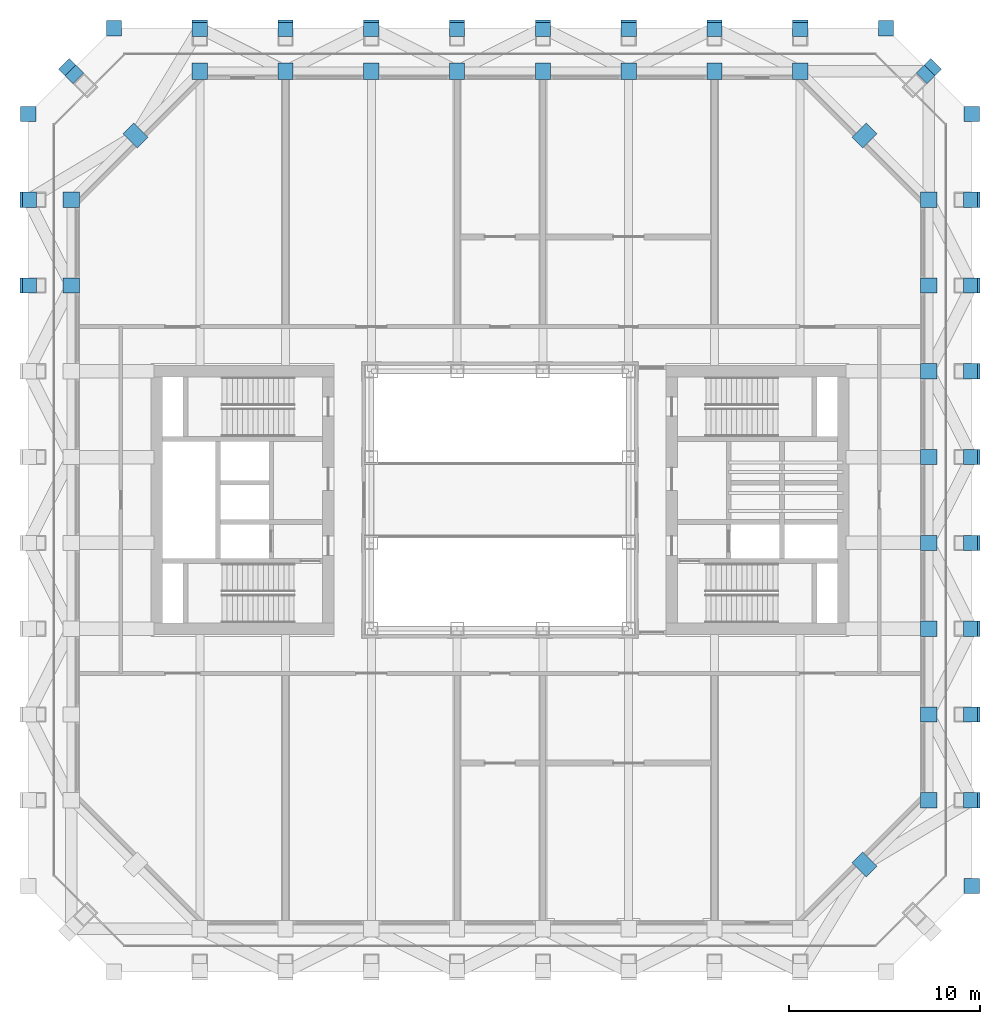
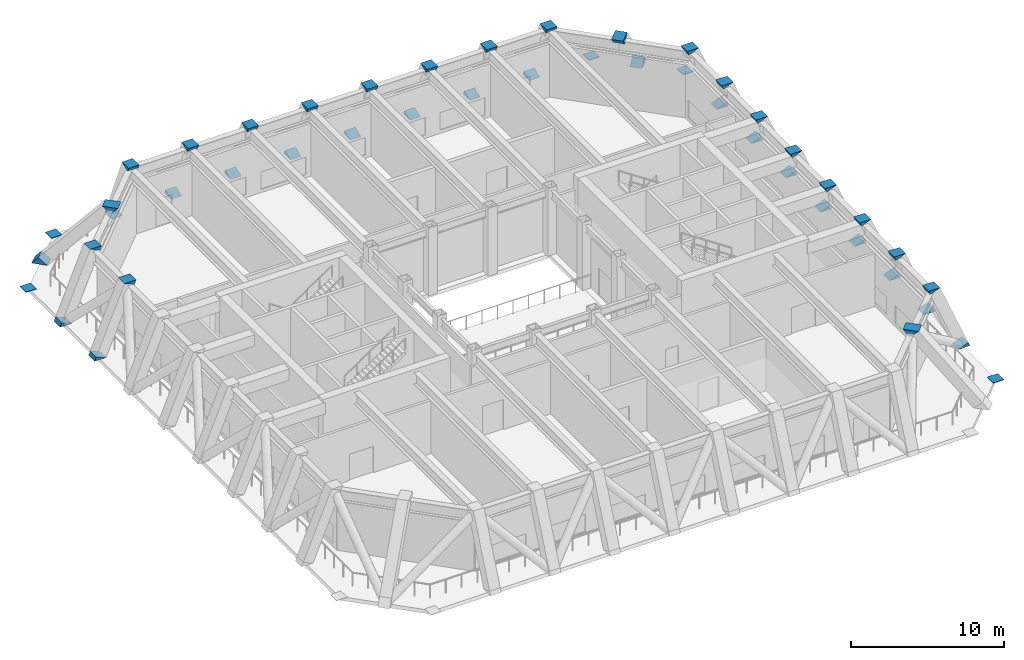
# One storey, part 7 of 9: 46 discrete accessories.
"""IFC4 building model written with IfcOpenShell, lengths in metres."""

from ifc_helpers import new_model, si_unit, direction, frame, origin, origin_2d, place, context, subcontext, project, spatial, polyline, rectangle, outline, extrude, clip, halfspace, element, save


model = new_model("IFC4")

# Units and contexts
model_context = context("Model", 3, precision=1e-05, world=origin(), true_north=direction((0.0, 1.0)))
body_context = subcontext(model_context, "Body", "Model", "MODEL_VIEW")
ifc_project = project(units=[si_unit("LENGTHUNIT", "METRE"), si_unit("AREAUNIT", "SQUARE_METRE"), si_unit("VOLUMEUNIT", "CUBIC_METRE"), si_unit("PLANEANGLEUNIT", "RADIAN"), si_unit("MASSUNIT", "GRAM", prefix="KILO")], contexts=[model_context])

# Site, building, storey
site_placement = place(None, origin())
site = spatial("IfcSite", under=ifc_project, at=site_placement, CompositionType="ELEMENT")
building_placement = place(site_placement, origin())
building = spatial("IfcBuilding", under=site, at=building_placement, Name="Msasa Ring Tower", CompositionType="ELEMENT")
storey_placement = place(building_placement, frame((0.0, 0.0, 107.0)))
storey = spatial("IfcBuildingStorey", under=building, at=storey_placement, Name="L28", CompositionType="ELEMENT", Elevation=107.0)

# Discrete accessories
discrete_accessory_1_placement = place(storey_placement, frame((-15.75, 24.75, 0.0)))
element("IfcDiscreteAccessory", 1, at=discrete_accessory_1_placement, inside=storey, Name="Raked column foot node N-15.75 L28", ObjectType="RAKED COLUMN NODE", PredefinedType="USERDEFINED", context=body_context, shape_type="Clipping", body=[
    clip(extrude(rectangle(XDim=0.800048828125, YDim=0.800048828125, at=origin_2d()), frame((0.0, 0.064208984375, -0.15380859375), z_axis=(0.0, -0.384615029586, 0.923077071006), x_axis=(0.0, 0.923077071006, 0.384615029586)), (0.0, 0.0, 1.0), 0.33349609375), halfspace(frame((0.0, 0.0, 0.0), z_axis=(0.0, 0.0, 1.0)), True)),
])
discrete_accessory_2_placement = place(storey_placement, frame((-15.75, 22.5, 5.39990234375)))
element("IfcDiscreteAccessory", 2, at=discrete_accessory_2_placement, inside=storey, Name="Raked column head node N-15.75 L28", ObjectType="RAKED COLUMN NODE", PredefinedType="USERDEFINED", context=body_context, shape_type="Clipping", body=[
    clip(extrude(rectangle(XDim=0.800048828125, YDim=0.800048828125, at=origin_2d()), frame((0.0, 0.064208984375, -0.15380859375), z_axis=(0.0, -0.384615029586, 0.923077071006), x_axis=(0.0, 0.923077071006, 0.384615029586)), (0.0, 0.0, 1.0), 0.33349609375), halfspace(frame((0.0, 0.0, 0.0), z_axis=(0.0, 0.0, -1.0)), True)),
])
discrete_accessory_3_placement = place(storey_placement, frame((24.75, -15.75, 0.0)))
element("IfcDiscreteAccessory", 3, at=discrete_accessory_3_placement, inside=storey, Name="Raked column foot node E-15.75 L28", ObjectType="RAKED COLUMN NODE", PredefinedType="USERDEFINED", context=body_context, shape_type="Clipping", body=[
    clip(extrude(rectangle(XDim=0.800048828125, YDim=0.800048828125, at=origin_2d()), frame((0.064208984375, 0.0, -0.15380859375), z_axis=(-0.384615029586, 0.0, 0.923077071006), x_axis=(0.0, -1.0, 0.0)), (0.0, 0.0, 1.0), 0.33349609375), halfspace(frame((0.0, 0.0, 0.0), z_axis=(0.0, 0.0, 1.0)), True)),
])
discrete_accessory_4_placement = place(storey_placement, frame((22.5, -15.75, 5.39990234375)))
element("IfcDiscreteAccessory", 4, at=discrete_accessory_4_placement, inside=storey, Name="Raked column head node E-15.75 L28", ObjectType="RAKED COLUMN NODE", PredefinedType="USERDEFINED", context=body_context, shape_type="Clipping", body=[
    clip(extrude(rectangle(XDim=0.800048828125, YDim=0.800048828125, at=origin_2d()), frame((0.064208984375, 0.0, -0.15380859375), z_axis=(-0.384615029586, 0.0, 0.923077071006), x_axis=(0.0, -1.0, 0.0)), (0.0, 0.0, 1.0), 0.33349609375), halfspace(frame((0.0, 0.0, 0.0), z_axis=(0.0, 0.0, -1.0)), True)),
])
discrete_accessory_5_placement = place(storey_placement, frame((-11.25, 24.75, 0.0)))
element("IfcDiscreteAccessory", 5, at=discrete_accessory_5_placement, inside=storey, Name="Raked column foot node N-11.25 L28", ObjectType="RAKED COLUMN NODE", PredefinedType="USERDEFINED", context=body_context, shape_type="Clipping", body=[
    clip(extrude(rectangle(XDim=0.800048828125, YDim=0.800048828125, at=origin_2d()), frame((0.0, 0.064208984375, -0.15380859375), z_axis=(0.0, -0.384615029586, 0.923077071006), x_axis=(0.0, 0.923077071006, 0.384615029586)), (0.0, 0.0, 1.0), 0.33349609375), halfspace(frame((0.0, 0.0, 0.0), z_axis=(0.0, 0.0, 1.0)), True)),
])
discrete_accessory_6_placement = place(storey_placement, frame((-11.25, 22.5, 5.39990234375)))
element("IfcDiscreteAccessory", 6, at=discrete_accessory_6_placement, inside=storey, Name="Raked column head node N-11.25 L28", ObjectType="RAKED COLUMN NODE", PredefinedType="USERDEFINED", context=body_context, shape_type="Clipping", body=[
    clip(extrude(rectangle(XDim=0.800048828125, YDim=0.800048828125, at=origin_2d()), frame((0.0, 0.064208984375, -0.15380859375), z_axis=(0.0, -0.384615029586, 0.923077071006), x_axis=(0.0, 0.923077071006, 0.384615029586)), (0.0, 0.0, 1.0), 0.33349609375), halfspace(frame((0.0, 0.0, 0.0), z_axis=(0.0, 0.0, -1.0)), True)),
])
discrete_accessory_7_placement = place(storey_placement, frame((24.75, -11.25, 0.0)))
element("IfcDiscreteAccessory", 7, at=discrete_accessory_7_placement, inside=storey, Name="Raked column foot node E-11.25 L28", ObjectType="RAKED COLUMN NODE", PredefinedType="USERDEFINED", context=body_context, shape_type="Clipping", body=[
    clip(extrude(rectangle(XDim=0.800048828125, YDim=0.800048828125, at=origin_2d()), frame((0.064208984375, 0.0, -0.15380859375), z_axis=(-0.384615029586, 0.0, 0.923077071006), x_axis=(0.0, -1.0, 0.0)), (0.0, 0.0, 1.0), 0.33349609375), halfspace(frame((0.0, 0.0, 0.0), z_axis=(0.0, 0.0, 1.0)), True)),
])
discrete_accessory_8_placement = place(storey_placement, frame((22.5, -11.25, 5.39990234375)))
element("IfcDiscreteAccessory", 8, at=discrete_accessory_8_placement, inside=storey, Name="Raked column head node E-11.25 L28", ObjectType="RAKED COLUMN NODE", PredefinedType="USERDEFINED", context=body_context, shape_type="Clipping", body=[
    clip(extrude(rectangle(XDim=0.800048828125, YDim=0.800048828125, at=origin_2d()), frame((0.064208984375, 0.0, -0.15380859375), z_axis=(-0.384615029586, 0.0, 0.923077071006), x_axis=(0.0, -1.0, 0.0)), (0.0, 0.0, 1.0), 0.33349609375), halfspace(frame((0.0, 0.0, 0.0), z_axis=(0.0, 0.0, -1.0)), True)),
])
discrete_accessory_9_placement = place(storey_placement, frame((-6.75, 24.75, 0.0)))
element("IfcDiscreteAccessory", 9, at=discrete_accessory_9_placement, inside=storey, Name="Raked column foot node N-6.75 L28", ObjectType="RAKED COLUMN NODE", PredefinedType="USERDEFINED", context=body_context, shape_type="Clipping", body=[
    clip(extrude(rectangle(XDim=0.800048828125, YDim=0.800048828125, at=origin_2d()), frame((0.0, 0.064208984375, -0.15380859375), z_axis=(0.0, -0.384615029586, 0.923077071006), x_axis=(0.0, 0.923077071006, 0.384615029586)), (0.0, 0.0, 1.0), 0.33349609375), halfspace(frame((0.0, 0.0, 0.0), z_axis=(0.0, 0.0, 1.0)), True)),
])
discrete_accessory_10_placement = place(storey_placement, frame((-6.75, 22.5, 5.39990234375)))
element("IfcDiscreteAccessory", 10, at=discrete_accessory_10_placement, inside=storey, Name="Raked column head node N-6.75 L28", ObjectType="RAKED COLUMN NODE", PredefinedType="USERDEFINED", context=body_context, shape_type="Clipping", body=[
    clip(extrude(rectangle(XDim=0.800048828125, YDim=0.800048828125, at=origin_2d()), frame((0.0, 0.064208984375, -0.15380859375), z_axis=(0.0, -0.384615029586, 0.923077071006), x_axis=(0.0, 0.923077071006, 0.384615029586)), (0.0, 0.0, 1.0), 0.33349609375), halfspace(frame((0.0, 0.0, 0.0), z_axis=(0.0, 0.0, -1.0)), True)),
])
discrete_accessory_11_placement = place(storey_placement, frame((24.75, -6.75, 0.0)))
element("IfcDiscreteAccessory", 11, at=discrete_accessory_11_placement, inside=storey, Name="Raked column foot node E-6.75 L28", ObjectType="RAKED COLUMN NODE", PredefinedType="USERDEFINED", context=body_context, shape_type="Clipping", body=[
    clip(extrude(rectangle(XDim=0.800048828125, YDim=0.800048828125, at=origin_2d()), frame((0.064208984375, 0.0, -0.15380859375), z_axis=(-0.384615029586, 0.0, 0.923077071006), x_axis=(0.0, -1.0, 0.0)), (0.0, 0.0, 1.0), 0.33349609375), halfspace(frame((0.0, 0.0, 0.0), z_axis=(0.0, 0.0, 1.0)), True)),
])
discrete_accessory_12_placement = place(storey_placement, frame((22.5, -6.75, 5.39990234375)))
element("IfcDiscreteAccessory", 12, at=discrete_accessory_12_placement, inside=storey, Name="Raked column head node E-6.75 L28", ObjectType="RAKED COLUMN NODE", PredefinedType="USERDEFINED", context=body_context, shape_type="Clipping", body=[
    clip(extrude(rectangle(XDim=0.800048828125, YDim=0.800048828125, at=origin_2d()), frame((0.064208984375, 0.0, -0.15380859375), z_axis=(-0.384615029586, 0.0, 0.923077071006), x_axis=(0.0, -1.0, 0.0)), (0.0, 0.0, 1.0), 0.33349609375), halfspace(frame((0.0, 0.0, 0.0), z_axis=(0.0, 0.0, -1.0)), True)),
])
discrete_accessory_13_placement = place(storey_placement, frame((-2.25, 24.75, 0.0)))
element("IfcDiscreteAccessory", 13, at=discrete_accessory_13_placement, inside=storey, Name="Raked column foot node N-2.25 L28", ObjectType="RAKED COLUMN NODE", PredefinedType="USERDEFINED", context=body_context, shape_type="Clipping", body=[
    clip(extrude(rectangle(XDim=0.800048828125, YDim=0.800048828125, at=origin_2d()), frame((0.0, 0.064208984375, -0.15380859375), z_axis=(0.0, -0.384615029586, 0.923077071006), x_axis=(0.0, 0.923077071006, 0.384615029586)), (0.0, 0.0, 1.0), 0.33349609375), halfspace(frame((0.0, 0.0, 0.0), z_axis=(0.0, 0.0, 1.0)), True)),
])
discrete_accessory_14_placement = place(storey_placement, frame((-2.25, 22.5, 5.39990234375)))
element("IfcDiscreteAccessory", 14, at=discrete_accessory_14_placement, inside=storey, Name="Raked column head node N-2.25 L28", ObjectType="RAKED COLUMN NODE", PredefinedType="USERDEFINED", context=body_context, shape_type="Clipping", body=[
    clip(extrude(rectangle(XDim=0.800048828125, YDim=0.800048828125, at=origin_2d()), frame((0.0, 0.064208984375, -0.15380859375), z_axis=(0.0, -0.384615029586, 0.923077071006), x_axis=(0.0, 0.923077071006, 0.384615029586)), (0.0, 0.0, 1.0), 0.33349609375), halfspace(frame((0.0, 0.0, 0.0), z_axis=(0.0, 0.0, -1.0)), True)),
])
discrete_accessory_15_placement = place(storey_placement, frame((24.75, -2.25, 0.0)))
element("IfcDiscreteAccessory", 15, at=discrete_accessory_15_placement, inside=storey, Name="Raked column foot node E-2.25 L28", ObjectType="RAKED COLUMN NODE", PredefinedType="USERDEFINED", context=body_context, shape_type="Clipping", body=[
    clip(extrude(rectangle(XDim=0.800048828125, YDim=0.800048828125, at=origin_2d()), frame((0.064208984375, 0.0, -0.15380859375), z_axis=(-0.384615029586, 0.0, 0.923077071006), x_axis=(0.0, -1.0, 0.0)), (0.0, 0.0, 1.0), 0.33349609375), halfspace(frame((0.0, 0.0, 0.0), z_axis=(0.0, 0.0, 1.0)), True)),
])
discrete_accessory_16_placement = place(storey_placement, frame((22.5, -2.25, 5.39990234375)))
element("IfcDiscreteAccessory", 16, at=discrete_accessory_16_placement, inside=storey, Name="Raked column head node E-2.25 L28", ObjectType="RAKED COLUMN NODE", PredefinedType="USERDEFINED", context=body_context, shape_type="Clipping", body=[
    clip(extrude(rectangle(XDim=0.800048828125, YDim=0.800048828125, at=origin_2d()), frame((0.064208984375, 0.0, -0.15380859375), z_axis=(-0.384615029586, 0.0, 0.923077071006), x_axis=(0.0, -1.0, 0.0)), (0.0, 0.0, 1.0), 0.33349609375), halfspace(frame((0.0, 0.0, 0.0), z_axis=(0.0, 0.0, -1.0)), True)),
])
discrete_accessory_17_placement = place(storey_placement, frame((2.25, 24.75, 0.0)))
element("IfcDiscreteAccessory", 17, at=discrete_accessory_17_placement, inside=storey, Name="Raked column foot node N+2.25 L28", ObjectType="RAKED COLUMN NODE", PredefinedType="USERDEFINED", context=body_context, shape_type="Clipping", body=[
    clip(extrude(rectangle(XDim=0.800048828125, YDim=0.800048828125, at=origin_2d()), frame((0.0, 0.064208984375, -0.15380859375), z_axis=(0.0, -0.384615029586, 0.923077071006), x_axis=(0.0, 0.923077071006, 0.384615029586)), (0.0, 0.0, 1.0), 0.33349609375), halfspace(frame((0.0, 0.0, 0.0), z_axis=(0.0, 0.0, 1.0)), True)),
])
discrete_accessory_18_placement = place(storey_placement, frame((2.25, 22.5, 5.39990234375)))
element("IfcDiscreteAccessory", 18, at=discrete_accessory_18_placement, inside=storey, Name="Raked column head node N+2.25 L28", ObjectType="RAKED COLUMN NODE", PredefinedType="USERDEFINED", context=body_context, shape_type="Clipping", body=[
    clip(extrude(rectangle(XDim=0.800048828125, YDim=0.800048828125, at=origin_2d()), frame((0.0, 0.064208984375, -0.15380859375), z_axis=(0.0, -0.384615029586, 0.923077071006), x_axis=(0.0, 0.923077071006, 0.384615029586)), (0.0, 0.0, 1.0), 0.33349609375), halfspace(frame((0.0, 0.0, 0.0), z_axis=(0.0, 0.0, -1.0)), True)),
])
discrete_accessory_19_placement = place(storey_placement, frame((24.75, 2.25, 0.0)))
element("IfcDiscreteAccessory", 19, at=discrete_accessory_19_placement, inside=storey, Name="Raked column foot node E+2.25 L28", ObjectType="RAKED COLUMN NODE", PredefinedType="USERDEFINED", context=body_context, shape_type="Clipping", body=[
    clip(extrude(rectangle(XDim=0.800048828125, YDim=0.800048828125, at=origin_2d()), frame((0.064208984375, 0.0, -0.15380859375), z_axis=(-0.384615029586, 0.0, 0.923077071006), x_axis=(0.0, -1.0, 0.0)), (0.0, 0.0, 1.0), 0.33349609375), halfspace(frame((0.0, 0.0, 0.0), z_axis=(0.0, 0.0, 1.0)), True)),
])
discrete_accessory_20_placement = place(storey_placement, frame((22.5, 2.25, 5.39990234375)))
element("IfcDiscreteAccessory", 20, at=discrete_accessory_20_placement, inside=storey, Name="Raked column head node E+2.25 L28", ObjectType="RAKED COLUMN NODE", PredefinedType="USERDEFINED", context=body_context, shape_type="Clipping", body=[
    clip(extrude(rectangle(XDim=0.800048828125, YDim=0.800048828125, at=origin_2d()), frame((0.064208984375, 0.0, -0.15380859375), z_axis=(-0.384615029586, 0.0, 0.923077071006), x_axis=(0.0, -1.0, 0.0)), (0.0, 0.0, 1.0), 0.33349609375), halfspace(frame((0.0, 0.0, 0.0), z_axis=(0.0, 0.0, -1.0)), True)),
])
discrete_accessory_21_placement = place(storey_placement, frame((6.75, 24.75, 0.0)))
element("IfcDiscreteAccessory", 21, at=discrete_accessory_21_placement, inside=storey, Name="Raked column foot node N+6.75 L28", ObjectType="RAKED COLUMN NODE", PredefinedType="USERDEFINED", context=body_context, shape_type="Clipping", body=[
    clip(extrude(rectangle(XDim=0.800048828125, YDim=0.800048828125, at=origin_2d()), frame((0.0, 0.064208984375, -0.15380859375), z_axis=(0.0, -0.384615029586, 0.923077071006), x_axis=(0.0, 0.923077071006, 0.384615029586)), (0.0, 0.0, 1.0), 0.33349609375), halfspace(frame((0.0, 0.0, 0.0), z_axis=(0.0, 0.0, 1.0)), True)),
])
discrete_accessory_22_placement = place(storey_placement, frame((6.75, 22.5, 5.39990234375)))
element("IfcDiscreteAccessory", 22, at=discrete_accessory_22_placement, inside=storey, Name="Raked column head node N+6.75 L28", ObjectType="RAKED COLUMN NODE", PredefinedType="USERDEFINED", context=body_context, shape_type="Clipping", body=[
    clip(extrude(rectangle(XDim=0.800048828125, YDim=0.800048828125, at=origin_2d()), frame((0.0, 0.064208984375, -0.15380859375), z_axis=(0.0, -0.384615029586, 0.923077071006), x_axis=(0.0, 0.923077071006, 0.384615029586)), (0.0, 0.0, 1.0), 0.33349609375), halfspace(frame((0.0, 0.0, 0.0), z_axis=(0.0, 0.0, -1.0)), True)),
])
discrete_accessory_23_placement = place(storey_placement, frame((24.75, 6.75, 0.0)))
element("IfcDiscreteAccessory", 23, at=discrete_accessory_23_placement, inside=storey, Name="Raked column foot node E+6.75 L28", ObjectType="RAKED COLUMN NODE", PredefinedType="USERDEFINED", context=body_context, shape_type="Clipping", body=[
    clip(extrude(rectangle(XDim=0.800048828125, YDim=0.800048828125, at=origin_2d()), frame((0.064208984375, 0.0, -0.15380859375), z_axis=(-0.384615029586, 0.0, 0.923077071006), x_axis=(0.0, -1.0, 0.0)), (0.0, 0.0, 1.0), 0.33349609375), halfspace(frame((0.0, 0.0, 0.0), z_axis=(0.0, 0.0, 1.0)), True)),
])
discrete_accessory_24_placement = place(storey_placement, frame((22.5, 6.75, 5.39990234375)))
element("IfcDiscreteAccessory", 24, at=discrete_accessory_24_placement, inside=storey, Name="Raked column head node E+6.75 L28", ObjectType="RAKED COLUMN NODE", PredefinedType="USERDEFINED", context=body_context, shape_type="Clipping", body=[
    clip(extrude(rectangle(XDim=0.800048828125, YDim=0.800048828125, at=origin_2d()), frame((0.064208984375, 0.0, -0.15380859375), z_axis=(-0.384615029586, 0.0, 0.923077071006), x_axis=(0.0, -1.0, 0.0)), (0.0, 0.0, 1.0), 0.33349609375), halfspace(frame((0.0, 0.0, 0.0), z_axis=(0.0, 0.0, -1.0)), True)),
])
discrete_accessory_25_placement = place(storey_placement, frame((11.25, 24.75, 0.0)))
element("IfcDiscreteAccessory", 25, at=discrete_accessory_25_placement, inside=storey, Name="Raked column foot node N+11.25 L28", ObjectType="RAKED COLUMN NODE", PredefinedType="USERDEFINED", context=body_context, shape_type="Clipping", body=[
    clip(extrude(rectangle(XDim=0.800048828125, YDim=0.800048828125, at=origin_2d()), frame((0.0, 0.064208984375, -0.15380859375), z_axis=(0.0, -0.384615029586, 0.923077071006), x_axis=(0.0, 0.923077071006, 0.384615029586)), (0.0, 0.0, 1.0), 0.33349609375), halfspace(frame((0.0, 0.0, 0.0), z_axis=(0.0, 0.0, 1.0)), True)),
])
discrete_accessory_26_placement = place(storey_placement, frame((11.25, 22.5, 5.39990234375)))
element("IfcDiscreteAccessory", 26, at=discrete_accessory_26_placement, inside=storey, Name="Raked column head node N+11.25 L28", ObjectType="RAKED COLUMN NODE", PredefinedType="USERDEFINED", context=body_context, shape_type="Clipping", body=[
    clip(extrude(rectangle(XDim=0.800048828125, YDim=0.800048828125, at=origin_2d()), frame((0.0, 0.064208984375, -0.15380859375), z_axis=(0.0, -0.384615029586, 0.923077071006), x_axis=(0.0, 0.923077071006, 0.384615029586)), (0.0, 0.0, 1.0), 0.33349609375), halfspace(frame((0.0, 0.0, 0.0), z_axis=(0.0, 0.0, -1.0)), True)),
])
discrete_accessory_27_placement = place(storey_placement, frame((24.75, 11.25, 0.0)))
element("IfcDiscreteAccessory", 27, at=discrete_accessory_27_placement, inside=storey, Name="Raked column foot node E+11.25 L28", ObjectType="RAKED COLUMN NODE", PredefinedType="USERDEFINED", context=body_context, shape_type="Clipping", body=[
    clip(extrude(rectangle(XDim=0.800048828125, YDim=0.800048828125, at=origin_2d()), frame((0.064208984375, 0.0, -0.15380859375), z_axis=(-0.384615029586, 0.0, 0.923077071006), x_axis=(0.0, -1.0, 0.0)), (0.0, 0.0, 1.0), 0.33349609375), halfspace(frame((0.0, 0.0, 0.0), z_axis=(0.0, 0.0, 1.0)), True)),
])
discrete_accessory_28_placement = place(storey_placement, frame((22.5, 11.25, 5.39990234375)))
element("IfcDiscreteAccessory", 28, at=discrete_accessory_28_placement, inside=storey, Name="Raked column head node E+11.25 L28", ObjectType="RAKED COLUMN NODE", PredefinedType="USERDEFINED", context=body_context, shape_type="Clipping", body=[
    clip(extrude(rectangle(XDim=0.800048828125, YDim=0.800048828125, at=origin_2d()), frame((0.064208984375, 0.0, -0.15380859375), z_axis=(-0.384615029586, 0.0, 0.923077071006), x_axis=(0.0, -1.0, 0.0)), (0.0, 0.0, 1.0), 0.33349609375), halfspace(frame((0.0, 0.0, 0.0), z_axis=(0.0, 0.0, -1.0)), True)),
])
discrete_accessory_29_placement = place(storey_placement, frame((-24.75, 11.25, 0.0)))
element("IfcDiscreteAccessory", 29, at=discrete_accessory_29_placement, inside=storey, Name="Raked column foot node W+11.25 L28", ObjectType="RAKED COLUMN NODE", PredefinedType="USERDEFINED", context=body_context, shape_type="Clipping", body=[
    clip(extrude(rectangle(XDim=0.800048828125, YDim=0.800048828125, at=origin_2d()), frame((-0.064208984375, 0.0, -0.15380859375), z_axis=(0.384615029586, 0.0, 0.923077071006), x_axis=(0.0, 1.0, 0.0)), (0.0, 0.0, 1.0), 0.33349609375), halfspace(frame((0.0, 0.0, 0.0), z_axis=(0.0, 0.0, 1.0)), True)),
])
discrete_accessory_30_placement = place(storey_placement, frame((-22.5, 11.25, 5.39990234375)))
element("IfcDiscreteAccessory", 30, at=discrete_accessory_30_placement, inside=storey, Name="Raked column head node W+11.25 L28", ObjectType="RAKED COLUMN NODE", PredefinedType="USERDEFINED", context=body_context, shape_type="Clipping", body=[
    clip(extrude(rectangle(XDim=0.800048828125, YDim=0.800048828125, at=origin_2d()), frame((-0.064208984375, 0.0, -0.15380859375), z_axis=(0.384615029586, 0.0, 0.923077071006), x_axis=(0.0, 1.0, 0.0)), (0.0, 0.0, 1.0), 0.33349609375), halfspace(frame((0.0, 0.0, 0.0), z_axis=(0.0, 0.0, -1.0)), True)),
])
discrete_accessory_31_placement = place(storey_placement, frame((15.75, 24.75, 0.0)))
element("IfcDiscreteAccessory", 31, at=discrete_accessory_31_placement, inside=storey, Name="Raked column foot node N+15.75 L28", ObjectType="RAKED COLUMN NODE", PredefinedType="USERDEFINED", context=body_context, shape_type="Clipping", body=[
    clip(extrude(rectangle(XDim=0.800048828125, YDim=0.800048828125, at=origin_2d()), frame((0.0, 0.064208984375, -0.15380859375), z_axis=(0.0, -0.384615029586, 0.923077071006), x_axis=(0.0, 0.923077071006, 0.384615029586)), (0.0, 0.0, 1.0), 0.33349609375), halfspace(frame((0.0, 0.0, 0.0), z_axis=(0.0, 0.0, 1.0)), True)),
])
discrete_accessory_32_placement = place(storey_placement, frame((15.75, 22.5, 5.39990234375)))
element("IfcDiscreteAccessory", 32, at=discrete_accessory_32_placement, inside=storey, Name="Raked column head node N+15.75 L28", ObjectType="RAKED COLUMN NODE", PredefinedType="USERDEFINED", context=body_context, shape_type="Clipping", body=[
    clip(extrude(rectangle(XDim=0.800048828125, YDim=0.800048828125, at=origin_2d()), frame((0.0, 0.064208984375, -0.15380859375), z_axis=(0.0, -0.384615029586, 0.923077071006), x_axis=(0.0, 0.923077071006, 0.384615029586)), (0.0, 0.0, 1.0), 0.33349609375), halfspace(frame((0.0, 0.0, 0.0), z_axis=(0.0, 0.0, -1.0)), True)),
])
discrete_accessory_33_placement = place(storey_placement, frame((24.75, 15.75, 0.0)))
element("IfcDiscreteAccessory", 33, at=discrete_accessory_33_placement, inside=storey, Name="Raked column foot node E+15.75 L28", ObjectType="RAKED COLUMN NODE", PredefinedType="USERDEFINED", context=body_context, shape_type="Clipping", body=[
    clip(extrude(rectangle(XDim=0.800048828125, YDim=0.800048828125, at=origin_2d()), frame((0.064208984375, 0.0, -0.15380859375), z_axis=(-0.384615029586, 0.0, 0.923077071006), x_axis=(0.0, -1.0, 0.0)), (0.0, 0.0, 1.0), 0.33349609375), halfspace(frame((0.0, 0.0, 0.0), z_axis=(0.0, 0.0, 1.0)), True)),
])
discrete_accessory_34_placement = place(storey_placement, frame((22.5, 15.75, 5.39990234375)))
element("IfcDiscreteAccessory", 34, at=discrete_accessory_34_placement, inside=storey, Name="Raked column head node E+15.75 L28", ObjectType="RAKED COLUMN NODE", PredefinedType="USERDEFINED", context=body_context, shape_type="Clipping", body=[
    clip(extrude(rectangle(XDim=0.800048828125, YDim=0.800048828125, at=origin_2d()), frame((0.064208984375, 0.0, -0.15380859375), z_axis=(-0.384615029586, 0.0, 0.923077071006), x_axis=(0.0, -1.0, 0.0)), (0.0, 0.0, 1.0), 0.33349609375), halfspace(frame((0.0, 0.0, 0.0), z_axis=(0.0, 0.0, -1.0)), True)),
])
discrete_accessory_35_placement = place(storey_placement, frame((-24.75, 15.75, 0.0)))
element("IfcDiscreteAccessory", 35, at=discrete_accessory_35_placement, inside=storey, Name="Raked column foot node W+15.75 L28", ObjectType="RAKED COLUMN NODE", PredefinedType="USERDEFINED", context=body_context, shape_type="Clipping", body=[
    clip(extrude(rectangle(XDim=0.800048828125, YDim=0.800048828125, at=origin_2d()), frame((-0.064208984375, 0.0, -0.15380859375), z_axis=(0.384615029586, 0.0, 0.923077071006), x_axis=(0.0, 1.0, 0.0)), (0.0, 0.0, 1.0), 0.33349609375), halfspace(frame((0.0, 0.0, 0.0), z_axis=(0.0, 0.0, 1.0)), True)),
])
discrete_accessory_36_placement = place(storey_placement, frame((-22.5, 15.75, 5.39990234375)))
element("IfcDiscreteAccessory", 36, at=discrete_accessory_36_placement, inside=storey, Name="Raked column head node W+15.75 L28", ObjectType="RAKED COLUMN NODE", PredefinedType="USERDEFINED", context=body_context, shape_type="Clipping", body=[
    clip(extrude(rectangle(XDim=0.800048828125, YDim=0.800048828125, at=origin_2d()), frame((-0.064208984375, 0.0, -0.15380859375), z_axis=(0.384615029586, 0.0, 0.923077071006), x_axis=(0.0, 1.0, 0.0)), (0.0, 0.0, 1.0), 0.33349609375), halfspace(frame((0.0, 0.0, 0.0), z_axis=(0.0, 0.0, -1.0)), True)),
])
discrete_accessory_37_placement = place(storey_placement, frame((19.125, -19.125, 5.39990234375)))
element("IfcDiscreteAccessory", 37, at=discrete_accessory_37_placement, inside=storey, Name="Raked column head node SE L28", ObjectType="RAKED COLUMN NODE", PredefinedType="USERDEFINED", context=body_context, shape_type="Clipping", body=[
    clip(extrude(rectangle(XDim=0.800048828125, YDim=0.800048828125, at=origin_2d()), frame((0.16552734375, -0.16552734375, -0.264892578125), z_axis=(-0.468292835615, 0.468292835615, 0.749268736985), x_axis=(-0.707106781187, -0.707106781187, 0.0)), (0.0, 0.0, 1.0), 0.707275390625), halfspace(frame((0.0, 0.0, 0.0), z_axis=(0.0, 0.0, -1.0)), True)),
])
discrete_accessory_38_placement = place(storey_placement, frame((22.5, 22.5, 0.0)))
element("IfcDiscreteAccessory", 38, at=discrete_accessory_38_placement, inside=storey, Name="Raked column foot node NE L28", ObjectType="RAKED COLUMN NODE", PredefinedType="USERDEFINED", context=body_context, shape_type="Clipping", body=[
    clip(extrude(rectangle(XDim=0.800048828125, YDim=0.800048828125, at=origin_2d()), frame((0.16552734375, 0.16552734375, -0.264892578125), z_axis=(-0.468292835615, -0.468292835615, 0.749268736985), x_axis=(0.707106781187, -0.707106781187, 0.0)), (0.0, 0.0, 1.0), 0.707275390625), halfspace(frame((0.0, 0.0, 0.0), z_axis=(0.0, 0.0, 1.0)), True)),
])
discrete_accessory_39_placement = place(storey_placement, frame((19.125, 19.125, 5.39990234375)))
element("IfcDiscreteAccessory", 39, at=discrete_accessory_39_placement, inside=storey, Name="Raked column head node NE L28", ObjectType="RAKED COLUMN NODE", PredefinedType="USERDEFINED", context=body_context, shape_type="Clipping", body=[
    clip(extrude(rectangle(XDim=0.800048828125, YDim=0.800048828125, at=origin_2d()), frame((0.16552734375, 0.16552734375, -0.264892578125), z_axis=(-0.468292835615, -0.468292835615, 0.749268736985), x_axis=(0.707106781187, -0.707106781187, 0.0)), (0.0, 0.0, 1.0), 0.707275390625), halfspace(frame((0.0, 0.0, 0.0), z_axis=(0.0, 0.0, -1.0)), True)),
])
discrete_accessory_40_placement = place(storey_placement, frame((-22.5, 22.5, 0.0)))
element("IfcDiscreteAccessory", 40, at=discrete_accessory_40_placement, inside=storey, Name="Raked column foot node NW L28", ObjectType="RAKED COLUMN NODE", PredefinedType="USERDEFINED", context=body_context, shape_type="Clipping", body=[
    clip(extrude(rectangle(XDim=0.800048828125, YDim=0.800048828125, at=origin_2d()), frame((-0.16552734375, 0.16552734375, -0.264892578125), z_axis=(0.468292835615, -0.468292835615, 0.749268736985), x_axis=(0.707106781187, 0.707106781187, 0.0)), (0.0, 0.0, 1.0), 0.707275390625), halfspace(frame((0.0, 0.0, 0.0), z_axis=(0.0, 0.0, 1.0)), True)),
])
discrete_accessory_41_placement = place(storey_placement, frame((-19.125, 19.125, 5.39990234375)))
element("IfcDiscreteAccessory", 41, at=discrete_accessory_41_placement, inside=storey, Name="Raked column head node NW L28", ObjectType="RAKED COLUMN NODE", PredefinedType="USERDEFINED", context=body_context, shape_type="Clipping", body=[
    clip(extrude(rectangle(XDim=0.800048828125, YDim=0.800048828125, at=origin_2d()), frame((-0.16552734375, 0.16552734375, -0.264892578125), z_axis=(0.468292835615, -0.468292835615, 0.749268736985), x_axis=(0.707106781187, 0.707106781187, 0.0)), (0.0, 0.0, 1.0), 0.707275390625), halfspace(frame((0.0, 0.0, 0.0), z_axis=(0.0, 0.0, -1.0)), True)),
])
discrete_accessory_42_placement = place(storey_placement, origin())
element("IfcDiscreteAccessory", 42, at=discrete_accessory_42_placement, inside=storey, Name="Tube column cap plate E-20.25 L27", ObjectType="STEEL COLUMN CAP PLATE", PredefinedType="USERDEFINED", context=body_context, shape_type="SweptSolid", body=[
    extrude(outline(polyline([(24.35009765625, -20.64990234375), (25.14990234375, -20.64990234375), (25.14990234375, -19.85009765625), (24.35009765625, -19.85009765625), (24.35009765625, -20.64990234375)])), origin(), (0.0, 0.0, 1.0), 0.0400390625),
])
discrete_accessory_43_placement = place(storey_placement, origin())
element("IfcDiscreteAccessory", 43, at=discrete_accessory_43_placement, inside=storey, Name="Tube column cap plate E+20.25 L27", ObjectType="STEEL COLUMN CAP PLATE", PredefinedType="USERDEFINED", context=body_context, shape_type="SweptSolid", body=[
    extrude(outline(polyline([(24.35009765625, 19.85009765625), (25.14990234375, 19.85009765625), (25.14990234375, 20.64990234375), (24.35009765625, 20.64990234375), (24.35009765625, 19.85009765625)])), origin(), (0.0, 0.0, 1.0), 0.0400390625),
])
discrete_accessory_44_placement = place(storey_placement, origin())
element("IfcDiscreteAccessory", 44, at=discrete_accessory_44_placement, inside=storey, Name="Tube column cap plate N-20.25 L27", ObjectType="STEEL COLUMN CAP PLATE", PredefinedType="USERDEFINED", context=body_context, shape_type="SweptSolid", body=[
    extrude(outline(polyline([(-20.64990234375, 24.35009765625), (-19.85009765625, 24.35009765625), (-19.85009765625, 25.14990234375), (-20.64990234375, 25.14990234375), (-20.64990234375, 24.35009765625)])), origin(), (0.0, 0.0, 1.0), 0.0400390625),
])
discrete_accessory_45_placement = place(storey_placement, origin())
element("IfcDiscreteAccessory", 45, at=discrete_accessory_45_placement, inside=storey, Name="Tube column cap plate N+20.25 L27", ObjectType="STEEL COLUMN CAP PLATE", PredefinedType="USERDEFINED", context=body_context, shape_type="SweptSolid", body=[
    extrude(outline(polyline([(19.85009765625, 24.35009765625), (20.64990234375, 24.35009765625), (20.64990234375, 25.14990234375), (19.85009765625, 25.14990234375), (19.85009765625, 24.35009765625)])), origin(), (0.0, 0.0, 1.0), 0.0400390625),
])
discrete_accessory_46_placement = place(storey_placement, origin())
element("IfcDiscreteAccessory", 46, at=discrete_accessory_46_placement, inside=storey, Name="Tube column cap plate W+20.25 L27", ObjectType="STEEL COLUMN CAP PLATE", PredefinedType="USERDEFINED", context=body_context, shape_type="SweptSolid", body=[
    extrude(outline(polyline([(-25.14990234375, 19.85009765625), (-24.35009765625, 19.85009765625), (-24.35009765625, 20.64990234375), (-25.14990234375, 20.64990234375), (-25.14990234375, 19.85009765625)])), origin(), (0.0, 0.0, 1.0), 0.0400390625),
])

save(model, "model.ifc")
